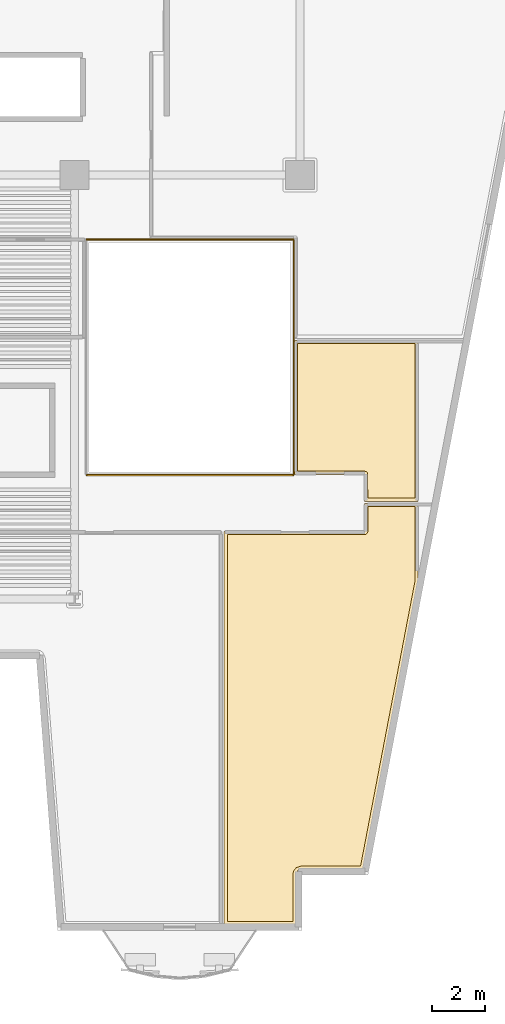
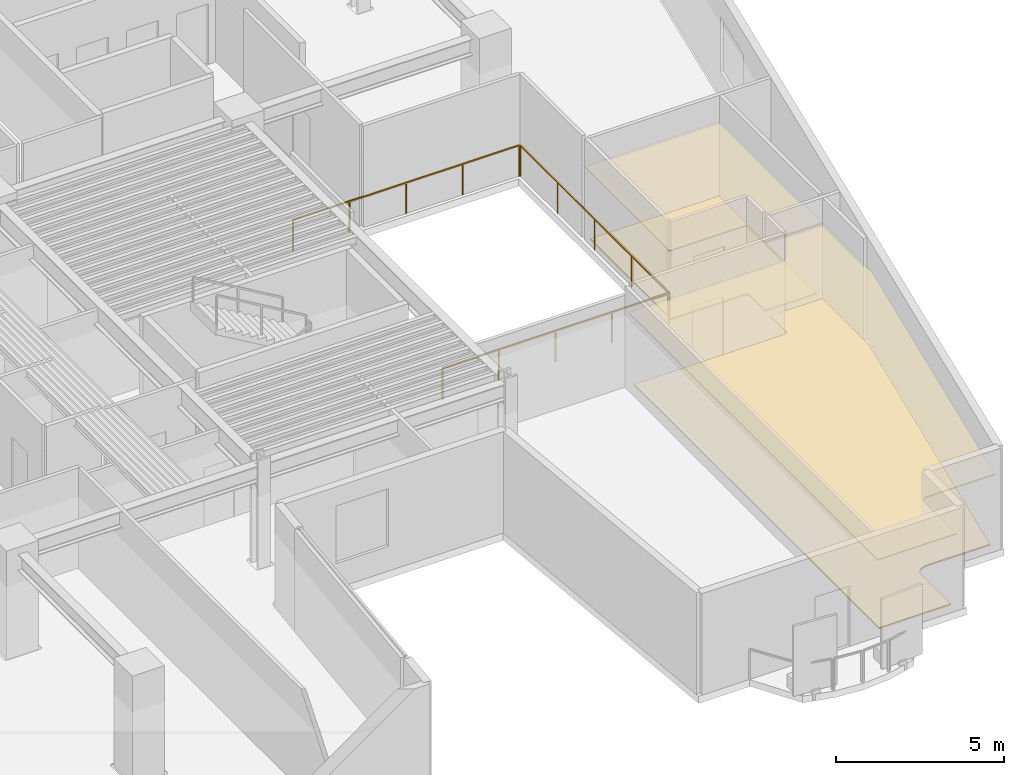
# One storey, part 11 of 13: 4 coverings, 3 railings.
"""IFC4 building model written with IfcOpenShell, lengths in metres."""

from ifc_helpers import new_model, si_unit, direction, frame, origin, origin_2d, place, context, subcontext, project, spatial, polyline, rectangle, outline, extrude, material, layer, layer_set, type_object, element, save


model = new_model("IFC4")

# Units and contexts
model_context = context("Model", 3, precision=1e-05, world=origin(), true_north=direction((0.0, 1.0)))
body_context = subcontext(model_context, "Body", "Model", "MODEL_VIEW")
ifc_project = project(units=[si_unit("LENGTHUNIT", "METRE"), si_unit("AREAUNIT", "SQUARE_METRE"), si_unit("VOLUMEUNIT", "CUBIC_METRE"), si_unit("PLANEANGLEUNIT", "RADIAN"), si_unit("MASSUNIT", "GRAM", prefix="KILO")], contexts=[model_context])

# Site, building, storey
site_placement = place(None, origin())
site = spatial("IfcSite", under=ifc_project, at=site_placement, CompositionType="ELEMENT")
building_placement = place(site_placement, origin())
building = spatial("IfcBuilding", under=site, at=building_placement, Name="Caeloran Harvest Quay", CompositionType="ELEMENT")
storey_placement = place(building_placement, frame((0.0, 0.0, 162.75)))
storey = spatial("IfcBuildingStorey", under=building, at=storey_placement, Name="L38", CompositionType="ELEMENT", Elevation=162.75)

# Coverings
ifc_material_1 = material(Name="Perforated Mineral-Fibre Acoustic Ceiling Tile", Category="ceiling")
ifc_layer_1 = layer(ifc_material_1, 0.0400390625, Name="Perforated Mineral-Fibre Acoustic Ceiling Tile")
ifc_layer_set_1 = layer_set([ifc_layer_1], Name="Perforated Mineral-Fibre Acoustic Ceiling Tile")
covering_type_1 = type_object("IfcCoveringType", Name="COV-CEILING-ACOUSTIC", PredefinedType="CEILING", material=ifc_layer_set_1)
covering_1_placement = place(storey_placement, frame((0.0, 0.0, 2.60009765625)))
element("IfcCovering", 1, at=covering_1_placement, inside=storey, type_object=covering_type_1, Name="Commodities Briefing Boardroom Acoustic Ceiling", PredefinedType="CEILING", context=body_context, shape_type="SweptSolid", body=[
    extrude(outline(polyline([(44.93994140625, 17.56005859375), (44.93994140625, 18.610107421875), (46.9599609375, 18.610107421875), (46.9599609375, 15.6640625), (44.888916015625, 4.820068359375), (42.571044921875, 4.820068359375), (42.506103515625, 4.810546875), (42.430419921875, 4.77001953125), (42.36669921875, 4.68408203125), (42.35009765625, 4.59912109375), (42.35009765625, 2.719970703125), (39.639892578125, 2.719970703125), (39.639892578125, 17.56005859375), (44.93994140625, 17.56005859375)])), origin(), (0.0, 0.0, 1.0), 0.039794921875),
])
covering_2_placement = place(storey_placement, frame((0.0, 0.0, 2.60009765625)))
element("IfcCovering", 2, at=covering_2_placement, inside=storey, type_object=covering_type_1, Name="Satellite Archive Library Lounge Acoustic Ceiling", PredefinedType="CEILING", context=body_context, shape_type="SweptSolid", body=[
    extrude(outline(polyline([(44.93994140625, 19.7099609375), (42.2900390625, 19.7099609375), (42.2900390625, 24.760009765625), (46.9599609375, 24.760009765625), (46.9599609375, 18.68994140625), (44.93994140625, 18.68994140625), (44.93994140625, 19.7099609375)])), origin(), (0.0, 0.0, 1.0), 0.039794921875),
])
ifc_material_2 = material(Name="Calcium-Sulphate Raised Access Floor and Terrazzo Finish", Category="flooring")
ifc_layer_2 = layer(ifc_material_2, 0.050048828125, Name="Calcium-Sulphate Raised Access Floor and Terrazzo Finish")
ifc_layer_set_2 = layer_set([ifc_layer_2], Name="Calcium-Sulphate Raised Access Floor and Terrazzo Finish")
covering_type_2 = type_object("IfcCoveringType", Name="COV-FLOOR-RAISED", PredefinedType="FLOORING", material=ifc_layer_set_2)
covering_3_placement = place(storey_placement, origin())
element("IfcCovering", 3, at=covering_3_placement, inside=storey, type_object=covering_type_2, Name="Commodities Briefing Boardroom Raised Finish Flooring", PredefinedType="FLOORING", context=body_context, shape_type="SweptSolid", body=[
    extrude(outline(polyline([(44.97802734375, 17.443603515625), (45.037353515625, 17.4833984375), (45.059814453125, 17.543212890625), (45.06005859375, 18.489990234375), (46.840087890625, 18.489990234375), (46.840087890625, 15.67529296875), (44.789794921875, 4.93994140625), (42.566162109375, 4.93994140625), (42.357421875, 4.865234375), (42.268310546875, 4.7568359375), (42.231201171875, 4.62939453125), (42.22998046875, 2.840087890625), (39.760009765625, 2.840087890625), (39.760009765625, 17.43994140625), (44.97802734375, 17.443603515625)])), origin(), (0.0, 0.0, 1.0), 0.050048828125),
])
covering_4_placement = place(storey_placement, origin())
element("IfcCovering", 4, at=covering_4_placement, inside=storey, type_object=covering_type_2, Name="Satellite Archive Library Lounge Raised Finish Flooring", PredefinedType="FLOORING", context=body_context, shape_type="SweptSolid", body=[
    extrude(outline(polyline([(45.056396484375, 19.748046875), (45.0166015625, 19.807373046875), (44.953857421875, 19.829833984375), (42.409912109375, 19.830078125), (42.409912109375, 24.639892578125), (46.840087890625, 24.639892578125), (46.840087890625, 18.81005859375), (45.06005859375, 18.81005859375), (45.056396484375, 19.748046875)])), origin(), (0.0, 0.0, 1.0), 0.050048828125),
])

# Railings
ifc_material_3 = material(Name="Powder-Coated Steel Post and Laminated Glass Guardrail", Category="steel")
ifc_layer_3 = layer(ifc_material_3, 0.06005859375, Name="Powder-Coated Steel Post and Laminated Glass Guardrail")
ifc_layer_set_3 = layer_set([ifc_layer_3], Name="Powder-Coated Steel Post and Laminated Glass Guardrail")
railing_type = type_object("IfcRailingType", Name="GUARD-ATRIUM-1150", PredefinedType="GUARDRAIL", material=ifc_layer_set_3)
railing_1_placement = place(storey_placement, frame((34.4619140625, 19.679931640625, 0.0)))
element("IfcRailing", 5, at=railing_1_placement, inside=storey, type_object=railing_type, Name="L38 East Botanical Lightwell Guardrail Seg 1", PredefinedType="GUARDRAIL", context=body_context, shape_type="SweptSolid", body=[
    extrude(rectangle(XDim=0.048095703125, YDim=0.048095703125, at=origin_2d()), frame((0.0, 0.0, 1.1259765625), z_axis=(1.0, 0.0, 0.0), x_axis=(0.0, 1.0, 0.0)), (0.0, 0.0, 1.0), 7.776123046875),
    extrude(rectangle(XDim=0.0419921875, YDim=0.0419921875, at=origin_2d()), origin(), (0.0, 0.0, 1.0), 1.101806640625),
    extrude(rectangle(XDim=0.0419921875, YDim=0.0419921875, at=origin_2d()), frame((1.944091796875, 0.0, 0.0)), (0.0, 0.0, 1.0), 1.101806640625),
    extrude(rectangle(XDim=0.0419921875, YDim=0.0419921875, at=origin_2d()), frame((3.88818359375, 0.0, 0.0)), (0.0, 0.0, 1.0), 1.101806640625),
    extrude(rectangle(XDim=0.0419921875, YDim=0.0419921875, at=origin_2d()), frame((5.83203125, 0.0, 0.0)), (0.0, 0.0, 1.0), 1.101806640625),
    extrude(rectangle(XDim=0.0419921875, YDim=0.0419921875, at=origin_2d()), frame((7.776123046875, 0.0, 0.0)), (0.0, 0.0, 1.0), 1.101806640625),
])
railing_2_placement = place(storey_placement, frame((42.27001953125, 19.7119140625, 0.0)))
element("IfcRailing", 6, at=railing_2_placement, inside=storey, type_object=railing_type, Name="L38 East Botanical Lightwell Guardrail Seg 2", PredefinedType="GUARDRAIL", context=body_context, shape_type="SweptSolid", body=[
    extrude(rectangle(XDim=0.048095703125, YDim=0.048095703125, at=origin_2d()), frame((0.0, 0.0, 1.1259765625), z_axis=(0.0, 1.0, 0.0), x_axis=(-1.0, 0.0, 0.0)), (0.0, 0.0, 1.0), 8.826171875),
    extrude(rectangle(XDim=0.0419921875, YDim=0.0419921875, at=origin_2d()), origin(), (0.0, 0.0, 1.0), 1.101806640625),
    extrude(rectangle(XDim=0.0419921875, YDim=0.0419921875, at=origin_2d()), frame((0.0, 2.20654296875, 0.0)), (0.0, 0.0, 1.0), 1.101806640625),
    extrude(rectangle(XDim=0.0419921875, YDim=0.0419921875, at=origin_2d()), frame((0.0, 4.4130859375, 0.0)), (0.0, 0.0, 1.0), 1.101806640625),
    extrude(rectangle(XDim=0.0419921875, YDim=0.0419921875, at=origin_2d()), frame((0.0, 6.61962890625, 0.0)), (0.0, 0.0, 1.0), 1.101806640625),
    extrude(rectangle(XDim=0.0419921875, YDim=0.0419921875, at=origin_2d()), frame((0.0, 8.826171875, 0.0)), (0.0, 0.0, 1.0), 1.101806640625),
])
railing_3_placement = place(storey_placement, frame((42.238037109375, 28.570068359375, 0.0)))
element("IfcRailing", 7, at=railing_3_placement, inside=storey, type_object=railing_type, Name="L38 East Botanical Lightwell Guardrail Seg 3", PredefinedType="GUARDRAIL", context=body_context, shape_type="SweptSolid", body=[
    extrude(rectangle(XDim=0.048095703125, YDim=0.048095703125, at=origin_2d()), frame((0.0, 0.0, 1.1259765625), z_axis=(-1.0, 0.0, 0.0), x_axis=(0.0, -1.0, 0.0)), (0.0, 0.0, 1.0), 7.776123046875),
    extrude(rectangle(XDim=0.0419921875, YDim=0.0419921875, at=origin_2d()), origin(), (0.0, 0.0, 1.0), 1.101806640625),
    extrude(rectangle(XDim=0.0419921875, YDim=0.0419921875, at=origin_2d()), frame((-1.944091796875, 0.0, 0.0)), (0.0, 0.0, 1.0), 1.101806640625),
    extrude(rectangle(XDim=0.0419921875, YDim=0.0419921875, at=origin_2d()), frame((-3.88818359375, 0.0, 0.0)), (0.0, 0.0, 1.0), 1.101806640625),
    extrude(rectangle(XDim=0.0419921875, YDim=0.0419921875, at=origin_2d()), frame((-5.83203125, 0.0, 0.0)), (0.0, 0.0, 1.0), 1.101806640625),
    extrude(rectangle(XDim=0.0419921875, YDim=0.0419921875, at=origin_2d()), frame((-7.776123046875, 0.0, 0.0)), (0.0, 0.0, 1.0), 1.101806640625),
])

save(model, "model.ifc")
